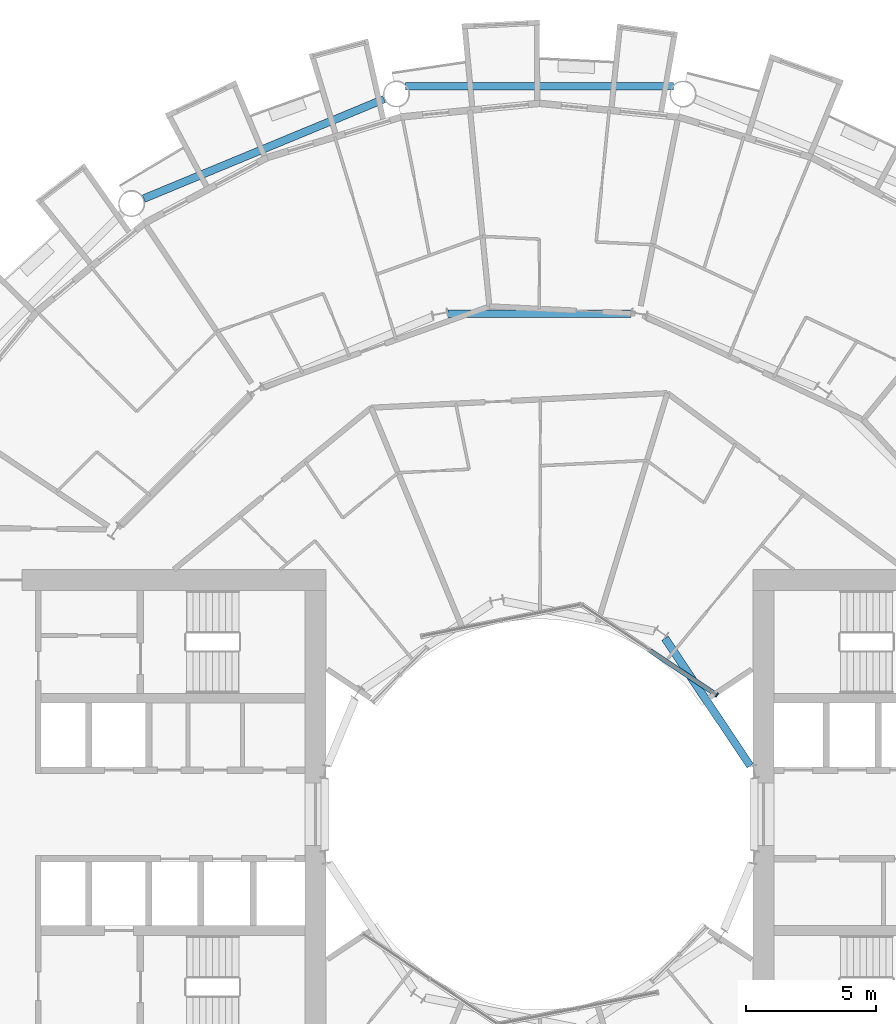
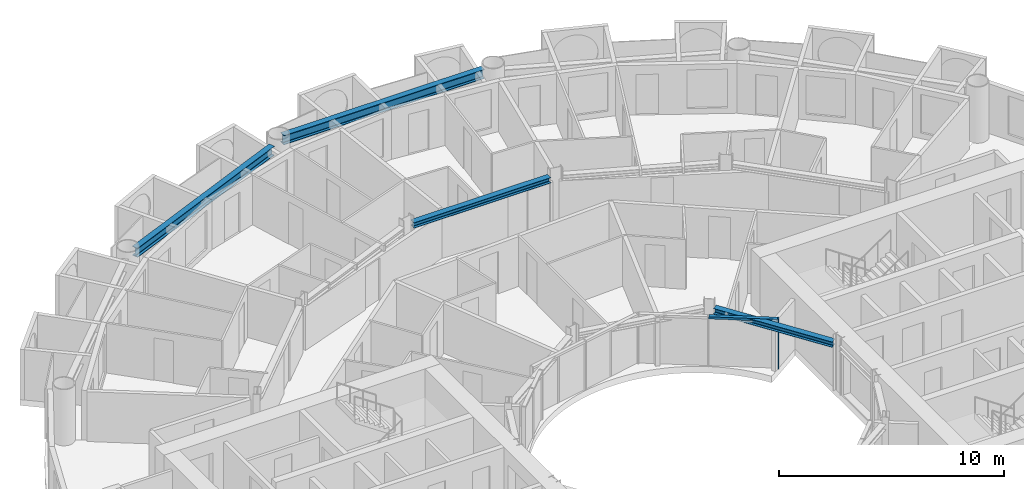
# One storey, part 8 of 26: 4 beams, 2 members, 1 element without a shape of its own.
"""IFC4 building model written with IfcOpenShell, lengths in metres."""

from ifc_helpers import new_model, si_unit, direction, frame, origin, origin_2d, place, context, subcontext, project, spatial, rectangle, i_section, extrude, material, layer, layer_set, material_profile, profile_set, type_object, element, aggregate, save


model = new_model("IFC4")

# Units and contexts
model_context = context("Model", 3, precision=1e-05, world=origin(), true_north=direction((0.0, 1.0)))
body_context = subcontext(model_context, "Body", "Model", "MODEL_VIEW")
ifc_project = project(units=[si_unit("LENGTHUNIT", "METRE"), si_unit("AREAUNIT", "SQUARE_METRE"), si_unit("VOLUMEUNIT", "CUBIC_METRE"), si_unit("PLANEANGLEUNIT", "RADIAN"), si_unit("MASSUNIT", "GRAM", prefix="KILO")], contexts=[model_context])

# Site, building, storey
site_placement = place(None, origin())
site = spatial("IfcSite", under=ifc_project, at=site_placement, CompositionType="ELEMENT")
building_placement = place(site_placement, origin())
building = spatial("IfcBuilding", under=site, at=building_placement, Name="Maasbend Ring Residences", CompositionType="ELEMENT")
storey_placement = place(building_placement, frame((0.0, 0.0, 44.14990234375)))
storey = spatial("IfcBuildingStorey", under=building, at=storey_placement, Name="L12", CompositionType="ELEMENT", Elevation=44.14990234375)

# Curtain wall, members
ifc_material_1 = material(Name="Aluminium and clear glass", Category="aluminium")
ifc_layer = layer(ifc_material_1, 0.179931640625)
ifc_layer_set = layer_set([ifc_layer], Name="CW-W")
curtain_wall_type = type_object("IfcCurtainWallType", Name="CW-W", PredefinedType="NOTDEFINED", material=ifc_layer_set)
curtain_wall_placement = place(storey_placement, origin())
curtain_wall = element("IfcCurtainWall", 1, at=curtain_wall_placement, inside=storey, type_object=curtain_wall_type, Name="Well curtain wall N1", PredefinedType="NOTDEFINED")
ifc_material_2 = material(Name="Aluminium 6063-T6", Category="aluminium")
ifc_material_profile_1 = material_profile(ifc_material_2, rectangle(XDim=0.179931640625, YDim=0.06005859375, at=origin_2d()), Name="AL 180x60")
ifc_profile_set_1 = profile_set([ifc_material_profile_1], Name="Aluminium 6063-T6")
member_type_1 = type_object("IfcMemberType", Name="CWM-W", PredefinedType="MULLION", material=ifc_profile_set_1)
member_1_placement = place(storey_placement, frame((6.805908203125, 4.580810546875, 0.0), z_axis=(0.0, 0.0, 1.0), x_axis=(-0.55557023302, -0.831469612303, 0.0)))
member_1 = element("IfcMember", 2, at=member_1_placement, type_object=member_type_1, Name="Mullion well face", PredefinedType="MULLION", context=body_context, shape_type="SweptSolid", body=[
    extrude(rectangle(XDim=0.179931640625, YDim=0.06005859375, at=origin_2d()), origin(), (0.0, 0.0, 1.0), 2.7001953125),
])
ifc_material_3 = material(Name="Aluminium 6063-T6", Category="aluminium")
ifc_material_profile_2 = material_profile(ifc_material_3, rectangle(XDim=0.179931640625, YDim=0.1201171875, at=origin_2d()), Name="AL 180x120")
ifc_profile_set_2 = profile_set([ifc_material_profile_2], Name="Aluminium 6063-T6")
member_type_2 = type_object("IfcMemberType", Name="CWT-W", PredefinedType="USERDEFINED", material=ifc_profile_set_2)
member_2_placement = place(storey_placement, frame((6.781005859375, 4.59765625, 2.64013671875), z_axis=(-0.831496422459, 0.555530106689, 0.0), x_axis=(-0.555530106689, -0.831496422459, 0.0)))
member_2 = element("IfcMember", 3, at=member_2_placement, type_object=member_type_2, Name="Transom well face", ObjectType="TRANSOM", PredefinedType="USERDEFINED", context=body_context, shape_type="SweptSolid", body=[
    extrude(rectangle(XDim=0.179931640625, YDim=0.1201171875, at=origin_2d()), origin(), (0.0, 0.0, 1.0), 3.053955078125),
])
aggregate(curtain_wall, [member_1, member_2])

# Beams
ifc_material_4 = material(Name="Steel S355J2", Category="steel")
ifc_material_profile_3 = material_profile(ifc_material_4, i_section(OverallWidth=0.300048828125, OverallDepth=0.300048828125, WebThickness=0.010986328125, FlangeThickness=0.01904296875, FilletRadius=0.027099609375, at=origin_2d()), Name="HEB 300")
ifc_profile_set_3 = profile_set([ifc_material_profile_3], Name="Steel S355J2")
beam_type_1 = type_object("IfcBeamType", Name="Corridor ring beam HEB 300", PredefinedType="BEAM", material=ifc_profile_set_3)
beam_1_placement = place(storey_placement, frame((3.5078125, 19.223388671875, 2.550048828125), z_axis=(-1.0, 0.0, 0.0), x_axis=(0.0, -1.0, 0.0)))
element("IfcBeam", 4, at=beam_1_placement, inside=storey, type_object=beam_type_1, Name="Corridor ring beam", PredefinedType="BEAM", context=body_context, shape_type="SweptSolid", body=[
    extrude(i_section(OverallWidth=0.300048828125, OverallDepth=0.300048828125, WebThickness=0.010986328125, FlangeThickness=0.01904296875, FilletRadius=0.027099609375, at=origin_2d()), origin(), (0.0, 0.0, 1.0), 7.015625),
])
ifc_material_5 = material(Name="Steel S355J2", Category="steel")
ifc_material_profile_4 = material_profile(ifc_material_5, i_section(OverallWidth=0.300048828125, OverallDepth=0.5, WebThickness=0.014404296875, FlangeThickness=0.028076171875, FilletRadius=0.027099609375, at=origin_2d()), Name="HEB 500")
ifc_profile_set_4 = profile_set([ifc_material_profile_4], Name="Steel S355J2")
beam_type_2 = type_object("IfcBeamType", Name="Spandrel ring beam HEB 500", PredefinedType="SPANDREL", material=ifc_profile_set_4)
beam_2_placement = place(storey_placement, frame((5.1435546875, 27.9580078125, 2.4501953125), z_axis=(-1.0, 0.0, 0.0), x_axis=(0.0, -1.0, 0.0)))
element("IfcBeam", 5, at=beam_2_placement, inside=storey, type_object=beam_type_2, Name="Spandrel ring beam", PredefinedType="SPANDREL", context=body_context, shape_type="SweptSolid", body=[
    extrude(i_section(OverallWidth=0.300048828125, OverallDepth=0.5, WebThickness=0.014404296875, FlangeThickness=0.028076171875, FilletRadius=0.027099609375, at=origin_2d()), origin(), (0.0, 0.0, 1.0), 10.287109375),
])
beam_3_placement = place(storey_placement, frame((-5.970703125, 27.463623046875, 2.4501953125), z_axis=(-0.923886337442, -0.382667003395, 0.0), x_axis=(0.382667003395, -0.923886337442, 0.0)))
element("IfcBeam", 6, at=beam_3_placement, inside=storey, type_object=beam_type_2, Name="Spandrel ring beam", PredefinedType="SPANDREL", context=body_context, shape_type="SweptSolid", body=[
    extrude(i_section(OverallWidth=0.300048828125, OverallDepth=0.5, WebThickness=0.014404296875, FlangeThickness=0.028076171875, FilletRadius=0.027099609375, at=origin_2d()), origin(), (0.0, 0.0, 1.0), 9.9873046875),
])
ifc_material_6 = material(Name="Steel S355J2", Category="steel")
ifc_material_profile_5 = material_profile(ifc_material_6, i_section(OverallWidth=0.300048828125, OverallDepth=0.300048828125, WebThickness=0.010986328125, FlangeThickness=0.01904296875, FilletRadius=0.027099609375, at=origin_2d()), Name="HEB 300")
ifc_profile_set_5 = profile_set([ifc_material_profile_5], Name="Steel S355J2")
beam_type_3 = type_object("IfcBeamType", Name="Well edge beam HEB 300", PredefinedType="BEAM", material=ifc_profile_set_5)
beam_4_placement = place(storey_placement, frame((8.08837890625, 1.86376953125, 2.550048828125), z_axis=(-0.555589782054, 0.831456549723, 0.0), x_axis=(-0.831456549723, -0.555589782054, 0.0)))
element("IfcBeam", 7, at=beam_4_placement, inside=storey, type_object=beam_type_3, Name="Well edge beam", PredefinedType="BEAM", context=body_context, shape_type="SweptSolid", body=[
    extrude(i_section(OverallWidth=0.300048828125, OverallDepth=0.300048828125, WebThickness=0.010986328125, FlangeThickness=0.01904296875, FilletRadius=0.027099609375, at=origin_2d()), origin(), (0.0, 0.0, 1.0), 5.887939453125),
])

save(model, "model.ifc")
